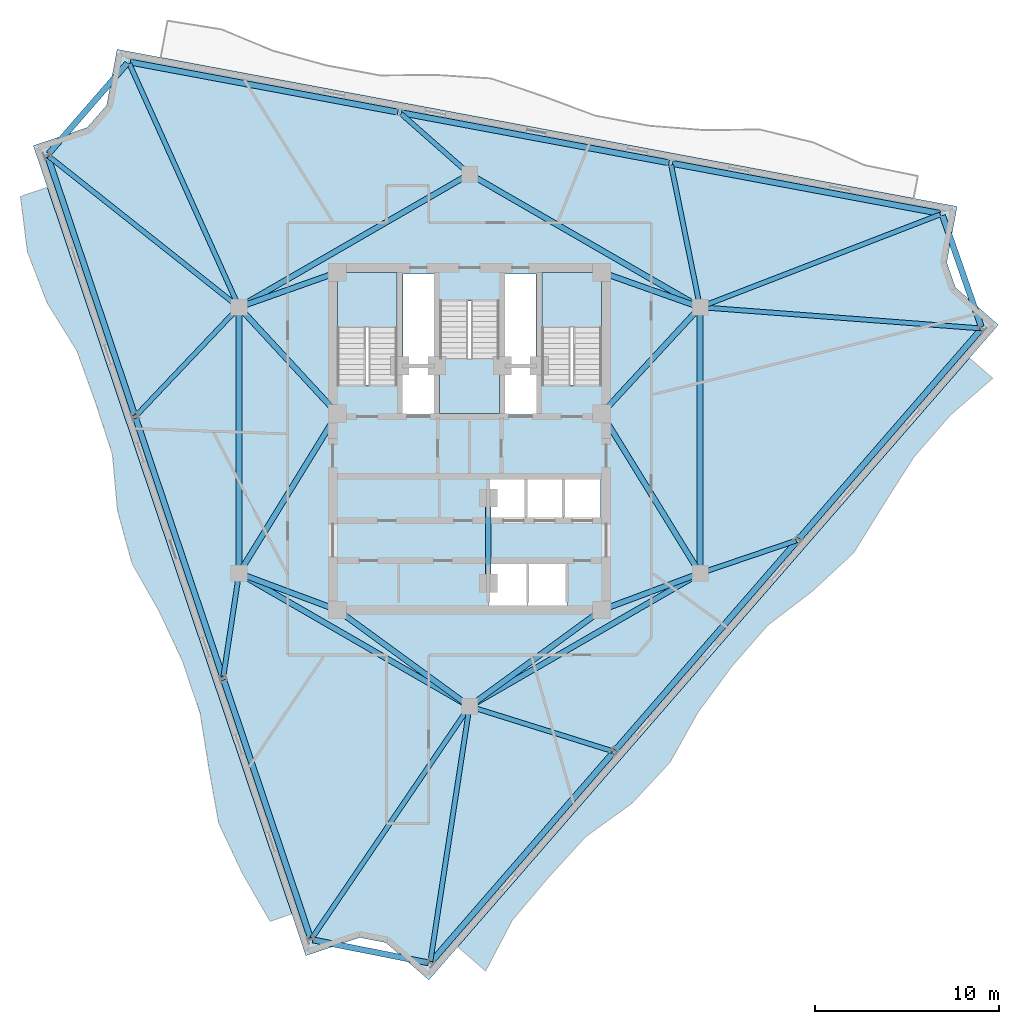
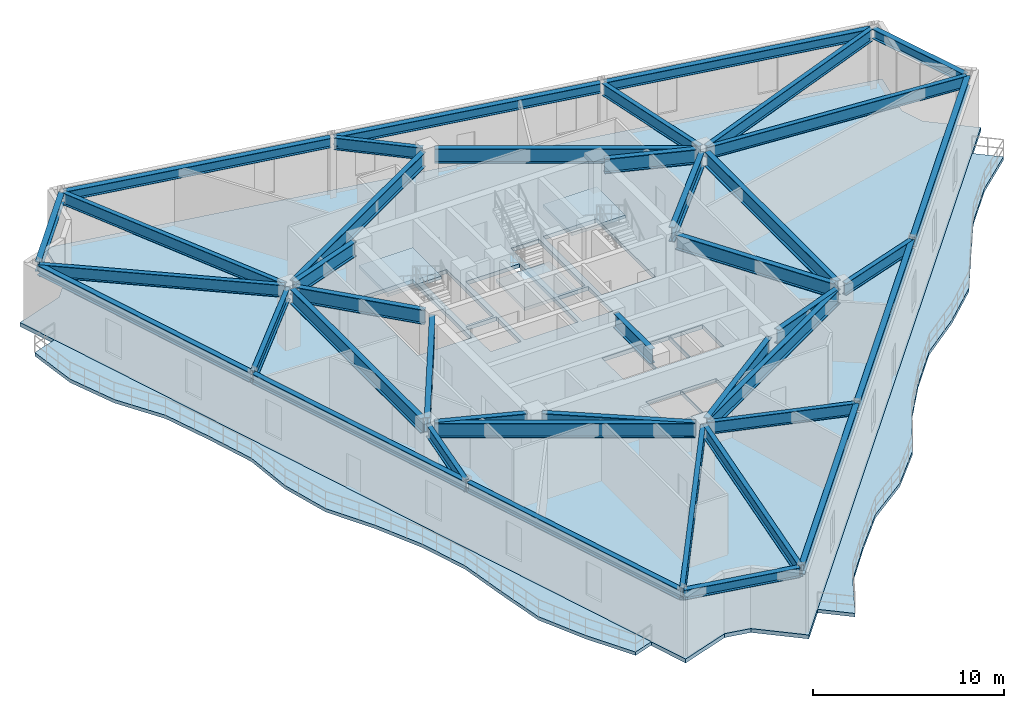
# One storey, part 3 of 9: 41 beams, 6 slabs, 3 elements without a shape of their own.
"""IFC4 building model written with IfcOpenShell, lengths in metres."""

import ifcopenshell
import ifcopenshell.guid

model = None  # the IFC model being written
_history = None  # IfcOwnerHistory: only IFC2X3 demands one
_inside = {}  # id of a spatial element -> (the spatial element, [elements in it])
_under = {}  # id of a project, library or spatial element -> (it, [spatial elements below it])
_declared = {}  # id of a project -> (the project, [libraries it declares])
_typed = {}  # id of a type object -> (the type object, [elements of that type])
_made_of = {}  # id of a material, layer set ... -> (it, [elements and type objects made of it])


def new_model(schema):
    """Start an empty IFC model of exactly this schema.

    Asked for "IFC4X3", IfcOpenShell would pick the latest addendum, in which some entities
    have other attributes; the version numbers below select the first issue.
    IFC2X3 requires an IfcOwnerHistory on every rooted entity: one is made here for all.
    """
    global model, _history
    if schema == "IFC4X3":
        model = ifcopenshell.file(schema_version=(4, 3, 0, 0))
    else:
        model = ifcopenshell.file(schema=schema)
    _inside.clear()
    _under.clear()
    _declared.clear()
    _typed.clear()
    _made_of.clear()
    _history = None
    if model.schema == "IFC2X3":
        org = make("IfcOrganization", Name="unknown")
        user = make(
            "IfcPersonAndOrganization",
            ThePerson=make("IfcPerson", FamilyName="unknown"),
            TheOrganization=org,
        )
        app = make(
            "IfcApplication",
            ApplicationDeveloper=org,
            Version="unknown",
            ApplicationFullName="unknown",
            ApplicationIdentifier="unknown",
        )
        _history = make(
            "IfcOwnerHistory",
            OwningUser=user,
            OwningApplication=app,
            ChangeAction="ADDED",
            CreationDate=0,
        )
    return model


def make(cls, **values):
    """One entity of the class cls with the attributes given. An attribute that is None is left unset."""
    return model.create_entity(
        cls, **{name: value for name, value in values.items() if value is not None}
    )


def rooted(cls, **values):
    """An entity with a GlobalId (a new one), such as an element, a storey or a relation."""
    return make(cls, GlobalId=ifcopenshell.guid.new(), OwnerHistory=_history, **values)


def si_unit(unit_type, name, prefix=None):
    """IfcSIUnit, for example si_unit("LENGTHUNIT", "METRE", prefix="MILLI")."""
    return make("IfcSIUnit", UnitType=unit_type, Prefix=prefix, Name=name)


def assignment(units):
    """IfcUnitAssignment: the units of a project."""
    return None if units is None else make("IfcUnitAssignment", Units=units)


def point(xyz):
    """IfcCartesianPoint."""
    return None if xyz is None else make("IfcCartesianPoint", Coordinates=xyz)


def direction(xyz):
    """IfcDirection."""
    return None if xyz is None else make("IfcDirection", DirectionRatios=xyz)


def frame(location, z_axis=None, x_axis=None):
    """IfcAxis2Placement3D, a coordinate frame: its origin and axes. An axis left out is left unset."""
    return make(
        "IfcAxis2Placement3D",
        Location=point(location),
        Axis=direction(z_axis),
        RefDirection=direction(x_axis),
    )


def frame_2d(location, x_axis=None):
    """IfcAxis2Placement2D, a coordinate frame in the plane: its origin and x axis."""
    return make(
        "IfcAxis2Placement2D", Location=point(location), RefDirection=direction(x_axis)
    )


def origin():
    """The frame at (0, 0, 0) with its axes left unset."""
    return frame((0.0, 0.0, 0.0))


def origin_2d():
    """The frame at (0, 0) in the plane with its x axis left unset."""
    return frame_2d((0.0, 0.0))


def place(relative_to, where):
    """IfcLocalPlacement: puts the frame where relative to a parent placement (None: the world)."""
    return make(
        "IfcLocalPlacement", PlacementRelTo=relative_to, RelativePlacement=where
    )


def context(
    kind, dimensions, precision=None, world=None, true_north=None, identifier=None
):
    """IfcGeometricRepresentationContext, for example the 3D "Model" context."""
    return make(
        "IfcGeometricRepresentationContext",
        ContextIdentifier=identifier,
        ContextType=kind,
        CoordinateSpaceDimension=dimensions,
        Precision=precision,
        WorldCoordinateSystem=world,
        TrueNorth=true_north,
    )


def subcontext(parent, identifier, kind, view, scale=None):
    """IfcGeometricRepresentationSubContext, for example "Body" below "Model"."""
    return make(
        "IfcGeometricRepresentationSubContext",
        ContextIdentifier=identifier,
        ContextType=kind,
        ParentContext=parent,
        TargetScale=scale,
        TargetView=view,
    )


def project(units=None, contexts=None):
    """IfcProject with its units and contexts."""
    return rooted(
        "IfcProject",
        Name="project",
        RepresentationContexts=contexts,
        UnitsInContext=assignment(units),
    )


def spatial(cls, under=None, at=None, **own):
    """A site, building, storey or space (cls), placed at a placement, below another one or the project."""
    s = rooted(cls, ObjectPlacement=at, **own)
    if under is not None:
        _under.setdefault(under.id(), (under, []))[1].append(s)
    return s


def polyline(points):
    """IfcPolyline through the points."""
    return make("IfcPolyline", Points=[point(p) for p in points])


def profile(cls, at=None, kind="AREA", **sizes):
    """A parametric profile (cls). Its sizes go by their IFC names, for example OverallWidth=200.0."""
    return make(cls, ProfileType=kind, Position=at, **sizes)


def i_section(**sizes):
    """IfcIShapeProfileDef."""
    return profile("IfcIShapeProfileDef", **sizes)


def outline(outer, holes=None, kind="AREA"):
    """IfcArbitraryClosedProfileDef: a profile drawn as a closed curve; with holes, ...WithVoids."""
    if holes is None:
        return make("IfcArbitraryClosedProfileDef", ProfileType=kind, OuterCurve=outer)
    return make(
        "IfcArbitraryProfileDefWithVoids",
        ProfileType=kind,
        OuterCurve=outer,
        InnerCurves=holes,
    )


def extrude(swept, where, along, depth):
    """IfcExtrudedAreaSolid: the profile swept, set in the frame where, extruded along a direction by depth."""
    return make(
        "IfcExtrudedAreaSolid",
        SweptArea=swept,
        Position=where,
        ExtrudedDirection=direction(along),
        Depth=depth,
    )


def shape(context_of_items, identifier, shape_type, items):
    """IfcShapeRepresentation: the items that make up one representation, for example the "Body"."""
    return make(
        "IfcShapeRepresentation",
        ContextOfItems=context_of_items,
        RepresentationIdentifier=identifier,
        RepresentationType=shape_type,
        Items=items,
    )


def material(Name=None, Category=None):
    """IfcMaterial."""
    return make("IfcMaterial", Name=Name, Category=Category)


def layer(
    of_material, thickness, ventilated=None, Name=None, Category=None, Priority=None
):
    """IfcMaterialLayer: one layer of a wall or slab, of a material (None: an air gap)."""
    return make(
        "IfcMaterialLayer",
        Material=of_material,
        LayerThickness=thickness,
        IsVentilated=ventilated,
        Name=Name,
        Category=Category,
        Priority=Priority,
    )


def layer_set(layers, Name=None):
    """IfcMaterialLayerSet."""
    return make("IfcMaterialLayerSet", MaterialLayers=layers, LayerSetName=Name)


def material_profile(
    of_material, cross_section, Name=None, Category=None, Priority=None
):
    """IfcMaterialProfile: a cross section and its material."""
    return make(
        "IfcMaterialProfile",
        Name=Name,
        Material=of_material,
        Profile=cross_section,
        Priority=Priority,
        Category=Category,
    )


def profile_set(profiles, Name=None, composite=None):
    """IfcMaterialProfileSet."""
    return make(
        "IfcMaterialProfileSet",
        Name=Name,
        MaterialProfiles=profiles,
        CompositeProfile=composite,
    )


def made_of(thing, what):
    """Note that an element or type object is made of a material, layer set ...; save() writes the relation."""
    if what is not None:
        _made_of.setdefault(what.id(), (what, []))[1].append(thing)
    return thing


def type_object(cls, material=None, **own):
    """A type object (cls), such as IfcWallType, which elements share."""
    return made_of(rooted(cls, **own), material)


def element(
    cls,
    number,
    at=None,
    inside=None,
    cuts=None,
    type_object=None,
    material=None,
    context=None,
    identifier="Body",
    shape_type=None,
    held_by="IfcProductDefinitionShape",
    body=None,
    shapes=None,
    **own,
):
    """One element of the class cls, such as IfcWall. Its Tag is "e" and its number.

    at: its placement. inside: the storey or other place that contains it. cuts: it is an
    opening in that element (IfcRelVoidsElement). A single representation is given by context,
    identifier, shape_type and body (its items); several are given by shapes. held_by: the class
    of the entity that holds the representations. save() writes the other relations.
    """
    e = rooted(cls, Tag="e%d" % number, ObjectPlacement=at, **own)
    if body is not None:
        shapes = [shape(context, identifier, shape_type, body)]
    if shapes is not None:
        e.Representation = make(held_by, Representations=shapes)
    if inside is not None:
        _inside.setdefault(inside.id(), (inside, []))[1].append(e)
    if cuts is not None:
        rooted(
            "IfcRelVoidsElement", RelatingBuildingElement=cuts, RelatedOpeningElement=e
        )
    if type_object is not None:
        _typed.setdefault(type_object.id(), (type_object, []))[1].append(e)
    return made_of(e, material)


def aggregate(whole, parts):
    """IfcRelAggregates: a whole, such as a stair, and the parts it consists of."""
    return rooted("IfcRelAggregates", RelatingObject=whole, RelatedObjects=parts)


def save(model, path):
    """Write the relations noted so far, then the file.

    IfcRelAggregates (storeys below a building ...), IfcRelContainedInSpatialStructure (elements
    in a storey), IfcRelDefinesByType, IfcRelAssociatesMaterial and IfcRelDeclares: one each for
    every whole, place, type object, material and project.
    """
    for whole, parts in _under.values():
        aggregate(whole, parts)
    for where, things in _inside.values():
        rooted(
            "IfcRelContainedInSpatialStructure",
            RelatedElements=things,
            RelatingStructure=where,
        )
    for kind, things in _typed.values():
        rooted("IfcRelDefinesByType", RelatedObjects=things, RelatingType=kind)
    for what, things in _made_of.values():
        rooted("IfcRelAssociatesMaterial", RelatedObjects=things, RelatingMaterial=what)
    for by, libraries in _declared.values():
        rooted("IfcRelDeclares", RelatingContext=by, RelatedDefinitions=libraries)
    model.write(path)


model = new_model("IFC4")

# Units and contexts
model_context = context("Model", 3, precision=1e-05, world=origin(), true_north=direction((0.0, 1.0)))
body_context = subcontext(model_context, "Body", "Model", "MODEL_VIEW")
ifc_project = project(units=[si_unit("LENGTHUNIT", "METRE"), si_unit("AREAUNIT", "SQUARE_METRE"), si_unit("VOLUMEUNIT", "CUBIC_METRE"), si_unit("PLANEANGLEUNIT", "RADIAN"), si_unit("MASSUNIT", "GRAM", prefix="KILO")], contexts=[model_context])

# Site, building, storey
site_placement = place(None, origin())
site = spatial("IfcSite", under=ifc_project, at=site_placement, CompositionType="ELEMENT")
building_placement = place(site_placement, origin())
building = spatial("IfcBuilding", under=site, at=building_placement, Name="Apsidion Concourse Tower", CompositionType="ELEMENT")
storey_placement = place(building_placement, frame((0.0, 0.0, 273.699951171875)))
storey = spatial("IfcBuildingStorey", under=building, at=storey_placement, Name="L64", CompositionType="ELEMENT", Elevation=273.699951171875)

# Beams
ifc_material_1 = material(Name="Structural steel ASTM A992 Grade 50", Category="steel")
ifc_material_profile_1 = material_profile(ifc_material_1, i_section(OverallWidth=0.31005859375, OverallDepth=0.931884765625, WebThickness=0.02099609375, FlangeThickness=0.034423828125, at=origin_2d()), Name="W36X210")
ifc_profile_set_1 = profile_set([ifc_material_profile_1], Name="Structural steel ASTM A992 Grade 50")
beam_type_1 = type_object("IfcBeamType", Name="BM-G-W36", PredefinedType="USERDEFINED", material=ifc_profile_set_1)
beam_1_placement = place(storey_placement, frame((-12.185302734375, -7.389892578125, 3.384033203125), z_axis=(0.936913021145, -0.349562570664, 0.0), x_axis=(0.349562570664, 0.936913021145, 0.0)))
element("IfcBeam", 1, at=beam_1_placement, inside=storey, type_object=beam_type_1, Name="L64 Core Coupling Girder IC1-SC1", ObjectType="GIRDER", PredefinedType="USERDEFINED", context=body_context, shape_type="SweptSolid", body=[
    extrude(i_section(OverallWidth=0.31005859375, OverallDepth=0.931884765625, WebThickness=0.02099609375, FlangeThickness=0.034423828125, at=origin_2d()), origin(), (0.0, 0.0, 1.0), 4.921142578125),
])
beam_2_placement = place(storey_placement, frame((-12.35009765625, -6.909423828125, 3.384033203125), z_axis=(0.524524009763, 0.851395656074, 0.0), x_axis=(-0.851395656074, 0.524524009763, 0.0)))
element("IfcBeam", 2, at=beam_2_placement, inside=storey, type_object=beam_type_1, Name="L64 Core Coupling Girder IC1-SC6", ObjectType="GIRDER", PredefinedType="USERDEFINED", context=body_context, shape_type="SweptSolid", body=[
    extrude(i_section(OverallWidth=0.31005859375, OverallDepth=0.931884765625, WebThickness=0.02099609375, FlangeThickness=0.034423828125, at=origin_2d()), origin(), (0.0, 0.0, 1.0), 9.41845703125),
])
beam_3_placement = place(storey_placement, frame((12.185302734375, -7.389892578125, 3.384033203125), z_axis=(-0.936913021145, -0.349562570664, 0.0), x_axis=(0.349562570664, -0.936913021145, 0.0)))
element("IfcBeam", 3, at=beam_3_placement, inside=storey, type_object=beam_type_1, Name="L64 Core Coupling Girder IC2-SC2", ObjectType="GIRDER", PredefinedType="USERDEFINED", context=body_context, shape_type="SweptSolid", body=[
    extrude(i_section(OverallWidth=0.31005859375, OverallDepth=0.931884765625, WebThickness=0.02099609375, FlangeThickness=0.034423828125, at=origin_2d()), origin(), (0.0, 0.0, 1.0), 4.921142578125),
])
beam_4_placement = place(storey_placement, frame((12.35009765625, -6.909423828125, 3.384033203125), z_axis=(-0.524524009763, 0.851395656074, 0.0), x_axis=(-0.851395656074, -0.524524009763, 0.0)))
element("IfcBeam", 4, at=beam_4_placement, inside=storey, type_object=beam_type_1, Name="L64 Core Coupling Girder IC2-SC3", ObjectType="GIRDER", PredefinedType="USERDEFINED", context=body_context, shape_type="SweptSolid", body=[
    extrude(i_section(OverallWidth=0.31005859375, OverallDepth=0.931884765625, WebThickness=0.02099609375, FlangeThickness=0.034423828125, at=origin_2d()), origin(), (0.0, 0.0, 1.0), 9.41845703125),
])
beam_5_placement = place(storey_placement, frame((12.28857421875, 6.956298828125, 3.384033203125), z_axis=(-0.678712876106, -0.73440372535, 0.0), x_axis=(0.73440372535, -0.678712876106, 0.0)))
element("IfcBeam", 5, at=beam_5_placement, inside=storey, type_object=beam_type_1, Name="L64 Core Coupling Girder IC3-SC3", ObjectType="GIRDER", PredefinedType="USERDEFINED", context=body_context, shape_type="SweptSolid", body=[
    extrude(i_section(OverallWidth=0.31005859375, OverallDepth=0.931884765625, WebThickness=0.02099609375, FlangeThickness=0.034423828125, at=origin_2d()), origin(), (0.0, 0.0, 1.0), 7.097412109375),
])
beam_6_placement = place(storey_placement, frame((12.18310546875, 7.383544921875, 3.384033203125), z_axis=(-0.942533844539, 0.334110688094, 0.0), x_axis=(-0.334110688094, -0.942533844539, 0.0)))
element("IfcBeam", 6, at=beam_6_placement, inside=storey, type_object=beam_type_1, Name="L64 Core Coupling Girder IC3-SC4", ObjectType="GIRDER", PredefinedType="USERDEFINED", context=body_context, shape_type="SweptSolid", body=[
    extrude(i_section(OverallWidth=0.31005859375, OverallDepth=0.931884765625, WebThickness=0.02099609375, FlangeThickness=0.034423828125, at=origin_2d()), origin(), (0.0, 0.0, 1.0), 4.886962890625),
])
beam_7_placement = place(storey_placement, frame((-12.28857421875, 6.956298828125, 3.384033203125), z_axis=(0.678712876106, -0.73440372535, 0.0), x_axis=(0.73440372535, 0.678712876106, 0.0)))
element("IfcBeam", 7, at=beam_7_placement, inside=storey, type_object=beam_type_1, Name="L64 Core Coupling Girder IC5-SC6", ObjectType="GIRDER", PredefinedType="USERDEFINED", context=body_context, shape_type="SweptSolid", body=[
    extrude(i_section(OverallWidth=0.31005859375, OverallDepth=0.931884765625, WebThickness=0.02099609375, FlangeThickness=0.034423828125, at=origin_2d()), origin(), (0.0, 0.0, 1.0), 7.097412109375),
])
beam_8_placement = place(storey_placement, frame((-12.18310546875, 7.383544921875, 3.384033203125), z_axis=(0.942533844539, 0.334110688094, 0.0), x_axis=(-0.334110688094, 0.942533844539, 0.0)))
element("IfcBeam", 8, at=beam_8_placement, inside=storey, type_object=beam_type_1, Name="L64 Core Coupling Girder IC5-SC5", ObjectType="GIRDER", PredefinedType="USERDEFINED", context=body_context, shape_type="SweptSolid", body=[
    extrude(i_section(OverallWidth=0.31005859375, OverallDepth=0.931884765625, WebThickness=0.02099609375, FlangeThickness=0.034423828125, at=origin_2d()), origin(), (0.0, 0.0, 1.0), 4.886962890625),
])
for number, where, z_axis, x_axis, name in (
    (9, (-0.3232421875, -14.264404296875, 3.384033203125), (-0.807993498909, 0.589191399905, 0.0), (-0.589191399905, -0.807993498909, 0.0), "L64 Core Coupling Girder IC6-SC1"),
    (10, (0.3232421875, -14.264404296875, 3.384033203125), (0.807993498909, 0.589191399905, 0.0), (-0.589191399905, 0.807993498909, 0.0), "L64 Core Coupling Girder IC6-SC2"),
):
    element("IfcBeam", number, at=place(storey_placement, frame(where, z_axis=z_axis, x_axis=x_axis)), inside=storey, type_object=beam_type_1, Name=name, ObjectType="GIRDER", PredefinedType="USERDEFINED", context=body_context, shape_type="SweptSolid", body=[
        extrude(i_section(OverallWidth=0.31005859375, OverallDepth=0.931884765625, WebThickness=0.02099609375, FlangeThickness=0.034423828125, at=origin_2d()), origin(), (0.0, 0.0, 1.0), 8.11083984375),
    ])
beam_9_placement = place(storey_placement, frame((-12.56005859375, -6.85009765625, 3.384033203125), z_axis=(0.0, 1.0, 0.0), x_axis=(-1.0, 0.0, 0.0)))
element("IfcBeam", 11, at=beam_9_placement, inside=storey, type_object=beam_type_1, Name="L64 Core Coupling Girder IC1-IC5", ObjectType="GIRDER", PredefinedType="USERDEFINED", context=body_context, shape_type="SweptSolid", body=[
    extrude(i_section(OverallWidth=0.31005859375, OverallDepth=0.931884765625, WebThickness=0.02099609375, FlangeThickness=0.034423828125, at=origin_2d()), origin(), (0.0, 0.0, 1.0), 13.7001953125),
])
for number, where, z_axis, x_axis, name in (
    (12, (-12.213623046875, 7.449951171875, 3.384033203125), (0.866070471464, 0.499921932364, 0.0), (-0.499921932364, 0.866070471464, 0.0), "L64 Core Coupling Girder IC5-IC4"),
    (13, (0.346435546875, 14.300048828125, 3.384033203125), (0.866070471464, -0.499921932364, 0.0), (0.499921932364, 0.866070471464, 0.0), "L64 Core Coupling Girder IC4-IC3"),
):
    element("IfcBeam", number, at=place(storey_placement, frame(where, z_axis=z_axis, x_axis=x_axis)), inside=storey, type_object=beam_type_1, Name=name, ObjectType="GIRDER", PredefinedType="USERDEFINED", context=body_context, shape_type="SweptSolid", body=[
        extrude(i_section(OverallWidth=0.31005859375, OverallDepth=0.931884765625, WebThickness=0.02099609375, FlangeThickness=0.034423828125, at=origin_2d()), origin(), (0.0, 0.0, 1.0), 13.702392578125),
    ])
beam_10_placement = place(storey_placement, frame((12.56005859375, 6.85009765625, 3.384033203125), z_axis=(0.0, -1.0, 0.0), x_axis=(1.0, 0.0, 0.0)))
element("IfcBeam", 14, at=beam_10_placement, inside=storey, type_object=beam_type_1, Name="L64 Core Coupling Girder IC3-IC2", ObjectType="GIRDER", PredefinedType="USERDEFINED", context=body_context, shape_type="SweptSolid", body=[
    extrude(i_section(OverallWidth=0.31005859375, OverallDepth=0.931884765625, WebThickness=0.02099609375, FlangeThickness=0.034423828125, at=origin_2d()), origin(), (0.0, 0.0, 1.0), 13.7001953125),
])
for number, where, z_axis, x_axis, name in (
    (15, (12.213623046875, -7.449951171875, 3.384033203125), (-0.866070471464, -0.499921932364, 0.0), (0.499921932364, -0.866070471464, 0.0), "L64 Core Coupling Girder IC2-IC6"),
    (16, (-0.346435546875, -14.300048828125, 3.384033203125), (-0.866070471464, 0.499921932364, 0.0), (-0.499921932364, -0.866070471464, 0.0), "L64 Core Coupling Girder IC6-IC1"),
):
    element("IfcBeam", number, at=place(storey_placement, frame(where, z_axis=z_axis, x_axis=x_axis)), inside=storey, type_object=beam_type_1, Name=name, ObjectType="GIRDER", PredefinedType="USERDEFINED", context=body_context, shape_type="SweptSolid", body=[
        extrude(i_section(OverallWidth=0.31005859375, OverallDepth=0.931884765625, WebThickness=0.02099609375, FlangeThickness=0.034423828125, at=origin_2d()), origin(), (0.0, 0.0, 1.0), 13.702392578125),
    ])
beam_11_placement = place(storey_placement, frame((1.02490234375, -3.550048828125, 3.384033203125), z_axis=(0.0, -1.0, 0.0), x_axis=(1.0, 0.0, 0.0)))
element("IfcBeam", 17, at=beam_11_placement, inside=storey, type_object=beam_type_1, Name="L64 Core Coupling Girder CC5-CC6", ObjectType="GIRDER", PredefinedType="USERDEFINED", context=body_context, shape_type="SweptSolid", body=[
    extrude(i_section(OverallWidth=0.31005859375, OverallDepth=0.931884765625, WebThickness=0.02099609375, FlangeThickness=0.034423828125, at=origin_2d()), origin(), (0.0, 0.0, 1.0), 3.849853515625),
])
ifc_material_profile_2 = material_profile(ifc_material_1, i_section(OverallWidth=0.324951171875, OverallDepth=0.616943359375, WebThickness=0.013916015625, FlangeThickness=0.021484375, at=origin_2d()), Name="W24X117")
ifc_profile_set_2 = profile_set([ifc_material_profile_2], Name="Structural steel ASTM A992 Grade 50")
beam_type_2 = type_object("IfcBeamType", Name="BM-SP-W24", PredefinedType="SPANDREL", material=ifc_profile_set_2)
for number, where, z_axis, x_axis, name in (
    (18, (-22.97265625, 15.436279296875, 3.54150390625), (0.318681523158, -0.947861850059, 0.0), (0.947861850059, 0.318681523158, 0.0), "L64 Perimeter Spandrel Girder SP-01"),
    (19, (-18.18310546875, 1.191162109375, 3.54150390625), (0.318661757859, -0.94786849514, 0.0), (0.94786849514, 0.318661757859, 0.0), "L64 Perimeter Spandrel Girder SP-02"),
    (20, (-13.393798828125, -13.05419921875, 3.54150390625), (0.318681523158, -0.947861850059, 0.0), (0.947861850059, 0.318681523158, 0.0), "L64 Perimeter Spandrel Girder SP-03"),
):
    element("IfcBeam", number, at=place(storey_placement, frame(where, z_axis=z_axis, x_axis=x_axis)), inside=storey, type_object=beam_type_2, Name=name, PredefinedType="SPANDREL", context=body_context, shape_type="SweptSolid", body=[
        extrude(i_section(OverallWidth=0.324951171875, OverallDepth=0.616943359375, WebThickness=0.013916015625, FlangeThickness=0.021484375, at=origin_2d()), origin(), (0.0, 0.0, 1.0), 14.82861328125),
    ])
beam_12_placement = place(storey_placement, frame((-8.538330078125, -27.223876953125, 3.54150390625), z_axis=(0.980920203242, -0.194410788981, 0.0), x_axis=(0.194410788981, 0.980920203242, 0.0)))
element("IfcBeam", 21, at=beam_12_placement, inside=storey, type_object=beam_type_2, Name="L64 Perimeter Spandrel Girder SP-04", PredefinedType="SPANDREL", context=body_context, shape_type="SweptSolid", body=[
    extrude(i_section(OverallWidth=0.324951171875, OverallDepth=0.616943359375, WebThickness=0.013916015625, FlangeThickness=0.021484375, at=origin_2d()), origin(), (0.0, 0.0, 1.0), 6.415771484375),
])
beam_13_placement = place(storey_placement, frame((-2.081298828125, -28.4150390625, 3.54150390625), z_axis=(0.656066832384, 0.754702796766, 0.0), x_axis=(-0.754702796766, 0.656066832384, 0.0)))
element("IfcBeam", 22, at=beam_13_placement, inside=storey, type_object=beam_type_2, Name="L64 Perimeter Spandrel Girder SP-05", PredefinedType="SPANDREL", context=body_context, shape_type="SweptSolid", body=[
    extrude(i_section(OverallWidth=0.324951171875, OverallDepth=0.616943359375, WebThickness=0.013916015625, FlangeThickness=0.021484375, at=origin_2d()), origin(), (0.0, 0.0, 1.0), 15.07373046875),
])
for number, where, z_axis, x_axis, name in (
    (23, (7.939208984375, -16.8876953125, 3.54150390625), (0.656074851848, 0.754695825332, 0.0), (-0.754695825332, 0.656074851848, 0.0), "L64 Perimeter Spandrel Girder SP-06"),
    (24, (17.959716796875, -5.360595703125, 3.54150390625), (0.656065626683, 0.754703844885, 0.0), (-0.754703844885, 0.656065626683, 0.0), "L64 Perimeter Spandrel Girder SP-07"),
):
    element("IfcBeam", number, at=place(storey_placement, frame(where, z_axis=z_axis, x_axis=x_axis)), inside=storey, type_object=beam_type_2, Name=name, PredefinedType="SPANDREL", context=body_context, shape_type="SweptSolid", body=[
        extrude(i_section(OverallWidth=0.324951171875, OverallDepth=0.616943359375, WebThickness=0.013916015625, FlangeThickness=0.021484375, at=origin_2d()), origin(), (0.0, 0.0, 1.0), 15.073486328125),
    ])
beam_14_placement = place(storey_placement, frame((27.881591796875, 6.185302734375, 3.54150390625), z_axis=(-0.328995813691, 0.944331379641, 0.0), x_axis=(-0.944331379641, -0.328995813691, 0.0)))
element("IfcBeam", 25, at=beam_14_placement, inside=storey, type_object=beam_type_2, Name="L64 Perimeter Spandrel Girder SP-08", PredefinedType="SPANDREL", context=body_context, shape_type="SweptSolid", body=[
    extrude(i_section(OverallWidth=0.324951171875, OverallDepth=0.616943359375, WebThickness=0.013916015625, FlangeThickness=0.021484375, at=origin_2d()), origin(), (0.0, 0.0, 1.0), 6.416015625),
])
beam_15_placement = place(storey_placement, frame((25.639404296875, 12.35693359375, 3.54150390625), z_axis=(-0.982990339522, 0.183657268861, 0.0), x_axis=(-0.183657268861, -0.982990339522, 0.0)))
element("IfcBeam", 26, at=beam_15_placement, inside=storey, type_object=beam_type_2, Name="L64 Perimeter Spandrel Girder SP-09", PredefinedType="SPANDREL", context=body_context, shape_type="SweptSolid", body=[
    extrude(i_section(OverallWidth=0.324951171875, OverallDepth=0.616943359375, WebThickness=0.013916015625, FlangeThickness=0.021484375, at=origin_2d()), origin(), (0.0, 0.0, 1.0), 14.82861328125),
])
for number, where, z_axis, x_axis, name in (
    (27, (10.866455078125, 15.1171875, 3.54150390625), (-0.982990894844, 0.183654296586, 0.0), (-0.183654296586, -0.982990894844, 0.0), "L64 Perimeter Spandrel Girder SP-10"),
    (28, (-3.90673828125, 17.877197265625, 3.54150390625), (-0.982990894844, 0.183654296586, 0.0), (-0.183654296586, -0.982990894844, 0.0), "L64 Perimeter Spandrel Girder SP-11"),
):
    element("IfcBeam", number, at=place(storey_placement, frame(where, z_axis=z_axis, x_axis=x_axis)), inside=storey, type_object=beam_type_2, Name=name, PredefinedType="SPANDREL", context=body_context, shape_type="SweptSolid", body=[
        extrude(i_section(OverallWidth=0.324951171875, OverallDepth=0.616943359375, WebThickness=0.013916015625, FlangeThickness=0.021484375, at=origin_2d()), origin(), (0.0, 0.0, 1.0), 14.828857421875),
    ])
beam_16_placement = place(storey_placement, frame((-18.647216796875, 20.543701171875, 3.54150390625), z_axis=(-0.656065057343, -0.754704339814, 0.0), x_axis=(0.754704339814, -0.656065057343, 0.0)))
element("IfcBeam", 29, at=beam_16_placement, inside=storey, type_object=beam_type_2, Name="L64 Perimeter Spandrel Girder SP-12", PredefinedType="SPANDREL", context=body_context, shape_type="SweptSolid", body=[
    extrude(i_section(OverallWidth=0.324951171875, OverallDepth=0.616943359375, WebThickness=0.013916015625, FlangeThickness=0.021484375, at=origin_2d()), origin(), (0.0, 0.0, 1.0), 6.541748046875),
])
ifc_material_profile_3 = material_profile(ifc_material_1, i_section(OverallWidth=0.26806640625, OverallDepth=0.77001953125, WebThickness=0.015625, FlangeThickness=0.025390625, at=origin_2d()), Name="W30X132")
ifc_profile_set_3 = profile_set([ifc_material_profile_3], Name="Structural steel ASTM A992 Grade 50")
beam_type_3 = type_object("IfcBeamType", Name="BM-SP-W30", PredefinedType="SPANDREL", material=ifc_profile_set_3)
beam_17_placement = place(storey_placement, frame((-12.732421875, 7.38671875, 3.465087890625), z_axis=(-0.783584000329, 0.621285855648, 0.0), x_axis=(-0.621285855648, -0.783584000329, 0.0)))
element("IfcBeam", 30, at=beam_17_placement, inside=storey, type_object=beam_type_3, Name="L64 Radial Floor Girder RAD-01", PredefinedType="SPANDREL", context=body_context, shape_type="SweptSolid", body=[
    extrude(i_section(OverallWidth=0.26806640625, OverallDepth=0.77001953125, WebThickness=0.015625, FlangeThickness=0.025390625, at=origin_2d()), origin(), (0.0, 0.0, 1.0), 13.009033203125),
])
beam_18_placement = place(storey_placement, frame((-12.71142578125, 7.09033203125, 3.465087890625), z_axis=(-0.688064364837, -0.72564966054, 0.0), x_axis=(0.72564966054, -0.688064364837, 0.0)))
element("IfcBeam", 31, at=beam_18_placement, inside=storey, type_object=beam_type_3, Name="L64 Radial Floor Girder RAD-02", PredefinedType="SPANDREL", context=body_context, shape_type="SweptSolid", body=[
    extrude(i_section(OverallWidth=0.26806640625, OverallDepth=0.77001953125, WebThickness=0.015625, FlangeThickness=0.025390625, at=origin_2d()), origin(), (0.0, 0.0, 1.0), 7.898681640625),
])
beam_19_placement = place(storey_placement, frame((-12.593017578125, -7.467529296875, 3.465087890625), z_axis=(-0.149944598724, -0.988694400365, 0.0), x_axis=(0.988694400365, -0.149944598724, 0.0)))
element("IfcBeam", 32, at=beam_19_placement, inside=storey, type_object=beam_type_3, Name="L64 Radial Floor Girder RAD-03", PredefinedType="SPANDREL", context=body_context, shape_type="SweptSolid", body=[
    extrude(i_section(OverallWidth=0.26806640625, OverallDepth=0.77001953125, WebThickness=0.015625, FlangeThickness=0.025390625, at=origin_2d()), origin(), (0.0, 0.0, 1.0), 5.45458984375),
])
beam_20_placement = place(storey_placement, frame((-0.123779296875, -14.681884765625, 3.465087890625), z_axis=(-0.56217993865, -0.827014943383, 0.0), x_axis=(0.827014943383, -0.56217993865, 0.0)))
element("IfcBeam", 33, at=beam_20_placement, inside=storey, type_object=beam_type_3, Name="L64 Radial Floor Girder RAD-04", PredefinedType="SPANDREL", context=body_context, shape_type="SweptSolid", body=[
    extrude(i_section(OverallWidth=0.26806640625, OverallDepth=0.77001953125, WebThickness=0.015625, FlangeThickness=0.025390625, at=origin_2d()), origin(), (0.0, 0.0, 1.0), 15.0419921875),
])
beam_21_placement = place(storey_placement, frame((-0.033447265625, -14.717529296875, 3.465087890625), z_axis=(-0.151664637663, -0.988432009641, 0.0), x_axis=(0.988432009641, -0.151664637663, 0.0)))
element("IfcBeam", 34, at=beam_21_placement, inside=storey, type_object=beam_type_3, Name="L64 Radial Floor Girder RAD-05", PredefinedType="SPANDREL", context=body_context, shape_type="SweptSolid", body=[
    extrude(i_section(OverallWidth=0.26806640625, OverallDepth=0.77001953125, WebThickness=0.015625, FlangeThickness=0.025390625, at=origin_2d()), origin(), (0.0, 0.0, 1.0), 13.833984375),
])
beam_22_placement = place(storey_placement, frame((0.2099609375, -14.565673828125, 3.465087890625), z_axis=(0.954387901166, -0.298569479532, 0.0), x_axis=(0.298569479532, 0.954387901166, 0.0)))
element("IfcBeam", 35, at=beam_22_placement, inside=storey, type_object=beam_type_3, Name="L64 Radial Floor Girder RAD-06", PredefinedType="SPANDREL", context=body_context, shape_type="SweptSolid", body=[
    extrude(i_section(OverallWidth=0.26806640625, OverallDepth=0.77001953125, WebThickness=0.015625, FlangeThickness=0.025390625, at=origin_2d()), origin(), (0.0, 0.0, 1.0), 7.93017578125),
])
beam_23_placement = place(storey_placement, frame((12.768310546875, -7.17919921875, 3.465087890625), z_axis=(0.946764063089, 0.321928266612, 0.0), x_axis=(-0.321928266612, 0.946764063089, 0.0)))
element("IfcBeam", 36, at=beam_23_placement, inside=storey, type_object=beam_type_3, Name="L64 Radial Floor Girder RAD-07", PredefinedType="SPANDREL", context=body_context, shape_type="SweptSolid", body=[
    extrude(i_section(OverallWidth=0.26806640625, OverallDepth=0.77001953125, WebThickness=0.015625, FlangeThickness=0.025390625, at=origin_2d()), origin(), (0.0, 0.0, 1.0), 5.31396484375),
])
beam_24_placement = place(storey_placement, frame((12.779296875, 7.2333984375, 3.465087890625), z_axis=(0.997162813541, -0.075274984495, 0.0), x_axis=(0.075274984495, 0.997162813541, 0.0)))
element("IfcBeam", 37, at=beam_24_placement, inside=storey, type_object=beam_type_3, Name="L64 Radial Floor Girder RAD-08", PredefinedType="SPANDREL", context=body_context, shape_type="SweptSolid", body=[
    extrude(i_section(OverallWidth=0.26806640625, OverallDepth=0.77001953125, WebThickness=0.015625, FlangeThickness=0.025390625, at=origin_2d()), origin(), (0.0, 0.0, 1.0), 15.078125),
])
beam_25_placement = place(storey_placement, frame((12.76513671875, 7.3291015625, 3.465087890625), z_axis=(0.932864861943, 0.360226525053, 0.0), x_axis=(-0.360226525053, 0.932864861943, 0.0)))
element("IfcBeam", 38, at=beam_25_placement, inside=storey, type_object=beam_type_3, Name="L64 Radial Floor Girder RAD-09", PredefinedType="SPANDREL", context=body_context, shape_type="SweptSolid", body=[
    extrude(i_section(OverallWidth=0.26806640625, OverallDepth=0.77001953125, WebThickness=0.015625, FlangeThickness=0.025390625, at=origin_2d()), origin(), (0.0, 0.0, 1.0), 13.806396484375),
])
beam_26_placement = place(storey_placement, frame((12.51611328125, 7.465576171875, 3.465087890625), z_axis=(-0.199174271345, 0.97996408589, 0.0), x_axis=(-0.97996408589, -0.199174271345, 0.0)))
element("IfcBeam", 39, at=beam_26_placement, inside=storey, type_object=beam_type_3, Name="L64 Radial Floor Girder RAD-10", PredefinedType="SPANDREL", context=body_context, shape_type="SweptSolid", body=[
    extrude(i_section(OverallWidth=0.26806640625, OverallDepth=0.77001953125, WebThickness=0.015625, FlangeThickness=0.025390625, at=origin_2d()), origin(), (0.0, 0.0, 1.0), 7.689208984375),
])
beam_27_placement = place(storey_placement, frame((-0.1650390625, 14.6455078125, 3.465087890625), z_axis=(-0.749977100091, 0.661463792917, 0.0), x_axis=(-0.661463792917, -0.749977100091, 0.0)))
element("IfcBeam", 40, at=beam_27_placement, inside=storey, type_object=beam_type_3, Name="L64 Radial Floor Girder RAD-11", PredefinedType="SPANDREL", context=body_context, shape_type="SweptSolid", body=[
    extrude(i_section(OverallWidth=0.26806640625, OverallDepth=0.77001953125, WebThickness=0.015625, FlangeThickness=0.025390625, at=origin_2d()), origin(), (0.0, 0.0, 1.0), 4.758056640625),
])
beam_28_placement = place(storey_placement, frame((-12.650390625, 7.45068359375, 3.465087890625), z_axis=(-0.410678909967, 0.911780035375, 0.0), x_axis=(-0.911780035375, -0.410678909967, 0.0)))
element("IfcBeam", 41, at=beam_28_placement, inside=storey, type_object=beam_type_3, Name="L64 Radial Floor Girder RAD-12", PredefinedType="SPANDREL", context=body_context, shape_type="SweptSolid", body=[
    extrude(i_section(OverallWidth=0.26806640625, OverallDepth=0.77001953125, WebThickness=0.015625, FlangeThickness=0.025390625, at=origin_2d()), origin(), (0.0, 0.0, 1.0), 14.342529296875),
])

# Slabs
ifc_material_2 = material(Name="Concrete C50/60", Category="concrete")
ifc_layer_1 = layer(ifc_material_2, 0.219970703125)
ifc_layer_set_1 = layer_set([ifc_layer_1], Name="Concrete C50/60")
slab_type_1 = type_object("IfcSlabType", Name="SL-BAL-220", PredefinedType="FLOOR", material=ifc_layer_set_1)
slab_1_placement = place(storey_placement, frame((0.0, 0.0, -0.219970703125)))
element("IfcSlab", 42, at=slab_1_placement, inside=storey, type_object=slab_type_1, Name="L64 Face 1 Rippling Balcony Slab", PredefinedType="FLOOR", context=body_context, shape_type="SweptSolid", body=[
    extrude(outline(polyline([(-22.99951171875, 13.775390625), (-22.048095703125, 10.947998046875), (-21.096923828125, 8.12060546875), (-20.1455078125, 5.29345703125), (-19.1943359375, 2.466064453125), (-18.242919921875, -0.361083984375), (-17.291748046875, -3.1884765625), (-16.340576171875, -6.015869140625), (-15.38916015625, -8.843017578125), (-14.43798828125, -11.67041015625), (-13.486572265625, -14.49755859375), (-12.535400390625, -17.324951171875), (-11.583984375, -20.152099609375), (-10.6328125, -22.9794921875), (-9.681396484375, -25.806884765625), (-10.8662109375, -26.205322265625), (-12.385986328125, -23.5693359375), (-13.667236328125, -20.85302734375), (-14.19775390625, -17.88427734375), (-14.67138671875, -14.896240234375), (-15.62255859375, -12.069091796875), (-16.89111328125, -9.348388671875), (-18.38916015625, -6.705078125), (-19.1787109375, -3.8232421875), (-19.45751953125, -0.769775390625), (-20.37890625, 2.0673828125), (-21.390380859375, 4.87451171875), (-23.00732421875, 7.477783203125), (-24.084716796875, 10.2626953125), (-24.468505859375, 13.281005859375), (-22.99951171875, 13.775390625)])), origin(), (0.0, 0.0, 1.0), 0.219970703125),
])
slab_2_placement = place(storey_placement, frame((0.0, 0.0, -0.219970703125)))
element("IfcSlab", 43, at=slab_2_placement, inside=storey, type_object=slab_type_1, Name="L64 Face 2 Rippling Balcony Slab", PredefinedType="FLOOR", context=body_context, shape_type="SweptSolid", body=[
    extrude(outline(polyline([(-0.6416015625, -27.59716796875), (1.35009765625, -25.30615234375), (3.341552734375, -23.01513671875), (5.3330078125, -20.724365234375), (7.324462890625, -18.433349609375), (9.31591796875, -16.142333984375), (11.307373046875, -13.8515625), (13.298828125, -11.560546875), (15.290283203125, -9.26953125), (17.281982421875, -6.978759765625), (19.273193359375, -4.687744140625), (21.264892578125, -2.396728515625), (23.25634765625, -0.10595703125), (25.247802734375, 2.18505859375), (27.2392578125, 4.47607421875), (28.504150390625, 3.37646484375), (26.191162109375, 1.364990234375), (24.19970703125, -0.92578125), (22.55078125, -3.514892578125), (20.928955078125, -6.126953125), (18.694580078125, -8.206787109375), (16.23388671875, -10.089599609375), (14.2421875, -12.380615234375), (12.436279296875, -14.832763671875), (10.9248046875, -17.541015625), (8.85986328125, -19.76806640625), (6.334228515625, -21.594482421875), (4.284912109375, -23.835205078125), (2.32568359375, -26.154296875), (0.875244140625, -28.91552734375), (-0.6416015625, -27.59716796875)])), origin(), (0.0, 0.0, 1.0), 0.219970703125),
])
ifc_layer_2 = layer(ifc_material_2, 0.25)
ifc_layer_set_2 = layer_set([ifc_layer_2], Name="Concrete C50/60")
slab_type_2 = type_object("IfcSlabType", Name="SL-FLR-250", PredefinedType="FLOOR", material=ifc_layer_set_2)
slab_3_placement = place(storey_placement, frame((0.0, 0.0, -0.25)))
element("IfcSlab", 44, at=slab_3_placement, inside=storey, type_object=slab_type_2, Name="L64 Structural Floor Slab", PredefinedType="FLOOR", context=body_context, shape_type="SweptSolid", body=[
    extrude(outline(polyline([(-19.201416015625, 21.2998046875), (-19.771484375, 18.251220703125), (-20.825439453125, 17.0390625), (-23.764892578125, 16.050048828125), (-8.916015625, -28.08154296875), (-5.976806640625, -27.092529296875), (-4.556640625, -27.373779296875), (-2.216064453125, -29.408447265625), (28.813720703125, 6.287353515625), (26.47314453125, 8.322021484375), (25.9970703125, 9.689208984375), (26.5673828125, 12.737548828125), (-19.201416015625, 21.2998046875)]), holes=[polyline([(-3.949951171875, 3.0), (-3.949951171875, 9.14990234375), (-7.199951171875, 9.14990234375), (-7.199951171875, 3.0), (-3.949951171875, 3.0)]), polyline([(7.199951171875, 3.0), (7.199951171875, 9.14990234375), (3.949951171875, 9.14990234375), (3.949951171875, 3.0), (7.199951171875, 3.0)]), polyline([(-1.625, 7.60009765625), (-1.625, 1.449951171875), (1.625, 1.449951171875), (1.625, 7.60009765625), (-1.625, 7.60009765625)]), polyline([(1.054931640625, -4.300048828125), (3.044921875, -4.300048828125), (3.044921875, -2.050048828125), (1.054931640625, -2.050048828125), (1.054931640625, -4.300048828125)]), polyline([(3.10498046875, -4.300048828125), (5.094970703125, -4.300048828125), (5.094970703125, -2.050048828125), (3.10498046875, -2.050048828125), (3.10498046875, -4.300048828125)]), polyline([(5.155029296875, -4.300048828125), (7.14501953125, -4.300048828125), (7.14501953125, -2.050048828125), (5.155029296875, -2.050048828125), (5.155029296875, -4.300048828125)]), polyline([(1.044921875, -9.0), (3.155029296875, -9.0), (3.155029296875, -6.64990234375), (1.044921875, -6.64990234375), (1.044921875, -9.0)]), polyline([(3.195068359375, -9.0), (5.304931640625, -9.0), (5.304931640625, -6.64990234375), (3.195068359375, -6.64990234375), (3.195068359375, -9.0)]), polyline([(-3.7099609375, 1.39990234375), (-1.85009765625, 1.39990234375), (-1.85009765625, 4.0), (-3.7099609375, 4.0), (-3.7099609375, 1.39990234375)]), polyline([(1.85009765625, 1.39990234375), (3.7099609375, 1.39990234375), (3.7099609375, 4.0), (1.85009765625, 4.0), (1.85009765625, 1.39990234375)]), polyline([(-3.6201171875, 4.14990234375), (-1.93994140625, 4.14990234375), (-1.93994140625, 9.050048828125), (-3.6201171875, 9.050048828125), (-3.6201171875, 4.14990234375)]), polyline([(1.93994140625, 4.14990234375), (3.6201171875, 4.14990234375), (3.6201171875, 9.050048828125), (1.93994140625, 9.050048828125), (1.93994140625, 4.14990234375)])]), origin(), (0.0, 0.0, 1.0), 0.25),
])

# Stair, slab
ifc_material_3 = material(Name="Precast concrete C40/50", Category="concrete")
stair_type = type_object("IfcStairType", Name="ST-DL-1550", PredefinedType="HALF_TURN_STAIR", material=ifc_material_3)
stair_1_placement = place(storey_placement, origin())
stair_1 = element("IfcStair", 45, at=stair_1_placement, inside=storey, type_object=stair_type, Name="L64 Protected Core Exit Stair ST1", PredefinedType="HALF_TURN_STAIR")
ifc_layer_3 = layer(ifc_material_2, 0.199951171875)
ifc_layer_set_3 = layer_set([ifc_layer_3], Name="Concrete C50/60")
slab_type_3 = type_object("IfcSlabType", Name="SL-ST-LAND-200", PredefinedType="LANDING", material=ifc_layer_set_3)
slab_4_placement = place(storey_placement, frame((0.0, 0.0, 1.85009765625)))
slab_4 = element("IfcSlab", 46, at=slab_4_placement, type_object=slab_type_3, Name="ST1 landing 1", PredefinedType="LANDING", context=body_context, shape_type="SweptSolid", body=[
    extrude(outline(polyline([(-3.949951171875, 6.135009765625), (-3.949951171875, 9.14990234375), (-7.199951171875, 9.14990234375), (-7.199951171875, 6.135009765625), (-3.949951171875, 6.135009765625)])), origin(), (0.0, 0.0, 1.0), 0.199951171875),
])
aggregate(stair_1, [slab_4])

stair_2_placement = place(storey_placement, origin())
stair_2 = element("IfcStair", 47, at=stair_2_placement, inside=storey, type_object=stair_type, Name="L64 Protected Core Exit Stair ST2", PredefinedType="HALF_TURN_STAIR")
slab_5_placement = place(storey_placement, frame((0.0, 0.0, 1.85009765625)))
slab_5 = element("IfcSlab", 48, at=slab_5_placement, type_object=slab_type_3, Name="ST2 landing 1", PredefinedType="LANDING", context=body_context, shape_type="SweptSolid", body=[
    extrude(outline(polyline([(7.199951171875, 6.135009765625), (7.199951171875, 9.14990234375), (3.949951171875, 9.14990234375), (3.949951171875, 6.135009765625), (7.199951171875, 6.135009765625)])), origin(), (0.0, 0.0, 1.0), 0.199951171875),
])
aggregate(stair_2, [slab_5])

stair_3_placement = place(storey_placement, origin())
stair_3 = element("IfcStair", 49, at=stair_3_placement, inside=storey, type_object=stair_type, Name="L64 Protected Core Exit Stair ST3", PredefinedType="HALF_TURN_STAIR")
slab_6_placement = place(storey_placement, frame((0.0, 0.0, 1.85009765625)))
slab_6 = element("IfcSlab", 50, at=slab_6_placement, type_object=slab_type_3, Name="ST3 landing 1", PredefinedType="LANDING", context=body_context, shape_type="SweptSolid", body=[
    extrude(outline(polyline([(-1.625, 4.465087890625), (-1.625, 1.449951171875), (1.625, 1.449951171875), (1.625, 4.465087890625), (-1.625, 4.465087890625)])), origin(), (0.0, 0.0, 1.0), 0.199951171875),
])
aggregate(stair_3, [slab_6])

save(model, "model.ifc")
